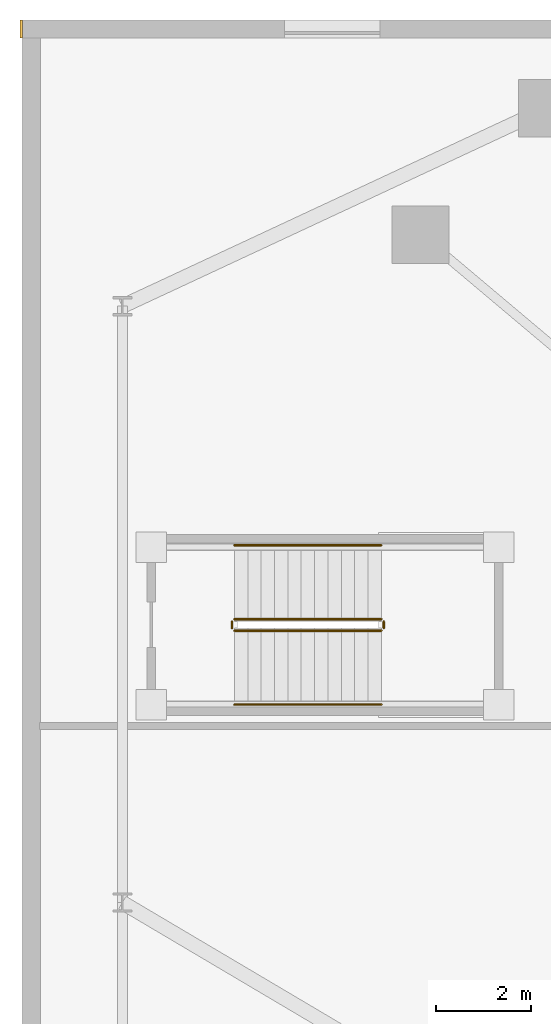
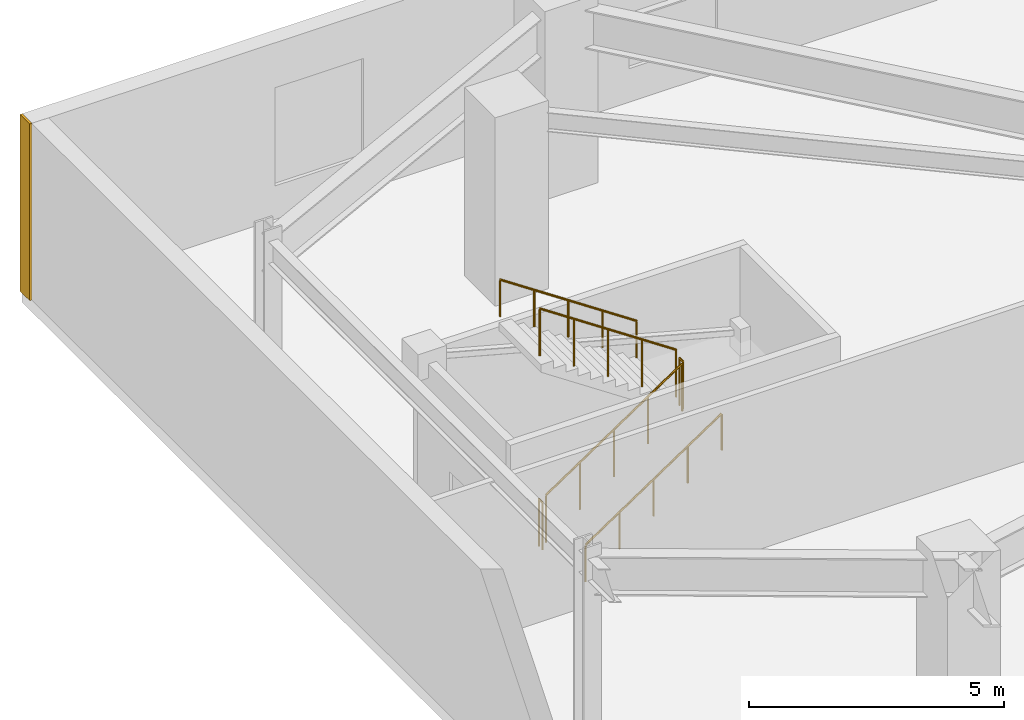
# One storey, part 19 of 21: 6 railings, 1 covering.
"""IFC4 building model written with IfcOpenShell, lengths in metres."""

from ifc_helpers import new_model, si_unit, direction, frame, frame_2d, origin, origin_2d, place, context, subcontext, project, spatial, rectangle, circle, extrude, material, layer, layer_set, type_object, element, save


model = new_model("IFC4")

# Units and contexts
model_context = context("Model", 3, precision=1e-05, world=origin(), true_north=direction((0.0, 1.0)))
body_context = subcontext(model_context, "Body", "Model", "MODEL_VIEW")
ifc_project = project(units=[si_unit("LENGTHUNIT", "METRE"), si_unit("AREAUNIT", "SQUARE_METRE"), si_unit("VOLUMEUNIT", "CUBIC_METRE"), si_unit("PLANEANGLEUNIT", "RADIAN"), si_unit("MASSUNIT", "GRAM", prefix="KILO")], contexts=[model_context])

# Site, building, storey
site_placement = place(None, origin())
site = spatial("IfcSite", under=ifc_project, at=site_placement, CompositionType="ELEMENT")
building_placement = place(site_placement, origin())
building = spatial("IfcBuilding", under=site, at=building_placement, Name="Cairnveth Concourse Tower", CompositionType="ELEMENT")
storey_placement = place(building_placement, frame((0.0, 0.0, 10.0)))
storey = spatial("IfcBuildingStorey", under=building, at=storey_placement, Name="L02", CompositionType="ELEMENT", Elevation=10.0)

# Covering
ifc_material_1 = material(Name="Dressed Melbourne Bluestone Cladding", Category="masonry")
ifc_layer = layer(ifc_material_1, 0.050048828125)
ifc_layer_set = layer_set([ifc_layer], Name="Dressed Melbourne Bluestone Cladding")
covering_type = type_object("IfcCoveringType", Name="DRESSED BLUESTONE PLINTH CLADDING 50", PredefinedType="CLADDING", material=ifc_layer_set)
covering_placement = place(storey_placement, frame((18.47998046875, 65.6201171875, 0.0), z_axis=(0.0, 0.0, 1.0), x_axis=(0.0, 1.0, 0.0)))
element("IfcCovering", 1, at=covering_placement, inside=storey, type_object=covering_type, Name="Melbourne Bluestone Corner Quoin L02-11", PredefinedType="CLADDING", context=body_context, shape_type="SweptSolid", body=[
    extrude(rectangle(XDim=0.3798828125, YDim=0.050048828125, at=frame_2d((0.18994140625, 0.0))), origin(), (0.0, 0.0, 1.0), 4.219970703125),
])

# Railings
ifc_material_2 = material(Name="Steel Grade 350", Category="steel")
railing_type_1 = type_object("IfcRailingType", Name="STAIR GUARDRAIL 1150", PredefinedType="GUARDRAIL", material=ifc_material_2)
railing_1_placement = place(storey_placement, frame((22.949951171875, 53.199951171875, 0.1875)))
element("IfcRailing", 2, at=railing_1_placement, inside=storey, type_object=railing_type_1, Name="L02 ST-P1 stair guard 1", PredefinedType="GUARDRAIL", context=body_context, shape_type="SweptSolid", body=[
    extrude(circle(Radius=0.02392578125, at=origin_2d()), frame((0.0, 0.0, 1.1259765625), z_axis=(0.830913701846, 0.0, 0.55640131208), x_axis=(0.0, 1.0, 0.0)), (0.0, 0.0, 1.0), 3.706787109375),
    extrude(circle(Radius=0.02099609375, at=origin_2d()), origin(), (0.0, 0.0, 1.0), 1.101806640625),
    extrude(circle(Radius=0.02099609375, at=origin_2d()), frame((0.77001953125, 0.0, 0.515625)), (0.0, 0.0, 1.0), 1.101806640625),
    extrude(circle(Radius=0.02099609375, at=origin_2d()), frame((1.5400390625, 0.0, 1.03125)), (0.0, 0.0, 1.0), 1.101806640625),
    extrude(circle(Radius=0.02099609375, at=origin_2d()), frame((2.31005859375, 0.0, 1.546875)), (0.0, 0.0, 1.0), 1.101806640625),
    extrude(circle(Radius=0.02099609375, at=origin_2d()), frame((3.080078125, 0.0, 2.0625)), (0.0, 0.0, 1.0), 1.101806640625),
])
railing_2_placement = place(storey_placement, frame((26.080078125, 53.25, 2.25)))
element("IfcRailing", 3, at=railing_2_placement, inside=storey, type_object=railing_type_1, Name="L02 ST-P1 stair guard 2", PredefinedType="GUARDRAIL", context=body_context, shape_type="SweptSolid", body=[
    extrude(circle(Radius=0.02392578125, at=origin_2d()), frame((0.0, 0.0, 1.1259765625), z_axis=(0.0, 1.0, 0.0), x_axis=(-1.0, 0.0, 0.0)), (0.0, 0.0, 1.0), 0.139892578125),
    extrude(circle(Radius=0.02099609375, at=origin_2d()), origin(), (0.0, 0.0, 1.0), 1.101806640625),
    extrude(circle(Radius=0.02099609375, at=origin_2d()), frame((0.0, 0.139892578125, 0.0)), (0.0, 0.0, 1.0), 1.101806640625),
])
railing_3_placement = place(storey_placement, frame((26.030029296875, 53.43994140625, 2.4375)))
element("IfcRailing", 4, at=railing_3_placement, inside=storey, type_object=railing_type_1, Name="L02 ST-P1 stair guard 3", PredefinedType="GUARDRAIL", context=body_context, shape_type="SweptSolid", body=[
    extrude(circle(Radius=0.02392578125, at=origin_2d()), frame((0.0, 0.0, 1.1259765625), z_axis=(-0.830913701846, 0.0, 0.55640131208), x_axis=(0.0, -1.0, 0.0)), (0.0, 0.0, 1.0), 3.706787109375),
    extrude(circle(Radius=0.02099609375, at=origin_2d()), origin(), (0.0, 0.0, 1.0), 1.101806640625),
    extrude(circle(Radius=0.02099609375, at=origin_2d()), frame((-0.77001953125, 0.0, 0.515625)), (0.0, 0.0, 1.0), 1.101806640625),
    extrude(circle(Radius=0.02099609375, at=origin_2d()), frame((-1.5400390625, 0.0, 1.03125)), (0.0, 0.0, 1.0), 1.101806640625),
    extrude(circle(Radius=0.02099609375, at=origin_2d()), frame((-2.31005859375, 0.0, 1.546875)), (0.0, 0.0, 1.0), 1.101806640625),
    extrude(circle(Radius=0.02099609375, at=origin_2d()), frame((-3.080078125, 0.0, 2.0625)), (0.0, 0.0, 1.0), 1.101806640625),
])
railing_4_placement = place(storey_placement, frame((22.89990234375, 53.25, 0.0)))
element("IfcRailing", 5, at=railing_4_placement, inside=storey, type_object=railing_type_1, Name="L02 ST-P1 stair guard 4", PredefinedType="GUARDRAIL", context=body_context, shape_type="SweptSolid", body=[
    extrude(circle(Radius=0.02392578125, at=origin_2d()), frame((0.0, 0.0, 1.1259765625), z_axis=(0.0, 1.0, 0.0), x_axis=(-1.0, 0.0, 0.0)), (0.0, 0.0, 1.0), 0.139892578125),
    extrude(circle(Radius=0.02099609375, at=origin_2d()), origin(), (0.0, 0.0, 1.0), 1.101806640625),
    extrude(circle(Radius=0.02099609375, at=origin_2d()), frame((0.0, 0.139892578125, 0.0)), (0.0, 0.0, 1.0), 1.101806640625),
])
railing_type_2 = type_object("IfcRailingType", Name="STAIR WALL HANDRAIL 900", PredefinedType="HANDRAIL", material=ifc_material_2)
railing_5_placement = place(storey_placement, frame((22.949951171875, 51.64990234375, 0.1875)))
element("IfcRailing", 6, at=railing_5_placement, inside=storey, type_object=railing_type_2, Name="L02 ST-P1 stair handrail 1", PredefinedType="HANDRAIL", context=body_context, shape_type="SweptSolid", body=[
    extrude(circle(Radius=0.02392578125, at=origin_2d()), frame((0.0, 0.0, 0.8759765625), z_axis=(0.830913701846, 0.0, 0.55640131208), x_axis=(0.0, 1.0, 0.0)), (0.0, 0.0, 1.0), 3.706787109375),
    extrude(circle(Radius=0.02099609375, at=origin_2d()), origin(), (0.0, 0.0, 1.0), 0.851806640625),
    extrude(circle(Radius=0.02099609375, at=origin_2d()), frame((0.77001953125, 0.0, 0.515625)), (0.0, 0.0, 1.0), 0.851806640625),
    extrude(circle(Radius=0.02099609375, at=origin_2d()), frame((1.5400390625, 0.0, 1.03125)), (0.0, 0.0, 1.0), 0.851806640625),
    extrude(circle(Radius=0.02099609375, at=origin_2d()), frame((2.31005859375, 0.0, 1.546875)), (0.0, 0.0, 1.0), 0.851806640625),
    extrude(circle(Radius=0.02099609375, at=origin_2d()), frame((3.080078125, 0.0, 2.0625)), (0.0, 0.0, 1.0), 0.851806640625),
])
railing_6_placement = place(storey_placement, frame((26.030029296875, 54.989990234375, 2.4375)))
element("IfcRailing", 7, at=railing_6_placement, inside=storey, type_object=railing_type_2, Name="L02 ST-P1 stair handrail 2", PredefinedType="HANDRAIL", context=body_context, shape_type="SweptSolid", body=[
    extrude(circle(Radius=0.02392578125, at=origin_2d()), frame((0.0, 0.0, 0.8759765625), z_axis=(-0.830913701846, 0.0, 0.55640131208), x_axis=(0.0, -1.0, 0.0)), (0.0, 0.0, 1.0), 3.706787109375),
    extrude(circle(Radius=0.02099609375, at=origin_2d()), origin(), (0.0, 0.0, 1.0), 0.851806640625),
    extrude(circle(Radius=0.02099609375, at=origin_2d()), frame((-0.77001953125, 0.0, 0.515625)), (0.0, 0.0, 1.0), 0.851806640625),
    extrude(circle(Radius=0.02099609375, at=origin_2d()), frame((-1.5400390625, 0.0, 1.03125)), (0.0, 0.0, 1.0), 0.851806640625),
    extrude(circle(Radius=0.02099609375, at=origin_2d()), frame((-2.31005859375, 0.0, 1.546875)), (0.0, 0.0, 1.0), 0.851806640625),
    extrude(circle(Radius=0.02099609375, at=origin_2d()), frame((-3.080078125, 0.0, 2.0625)), (0.0, 0.0, 1.0), 0.851806640625),
])

save(model, "model.ifc")
